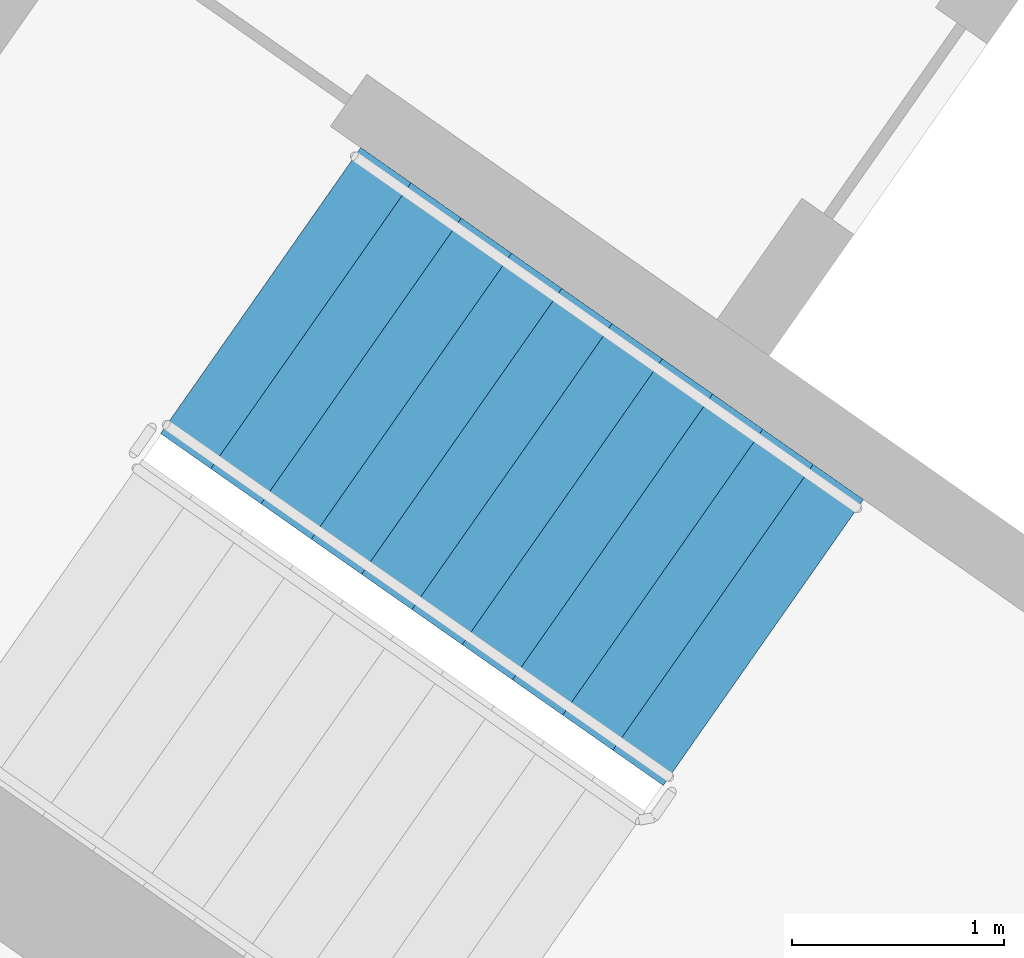
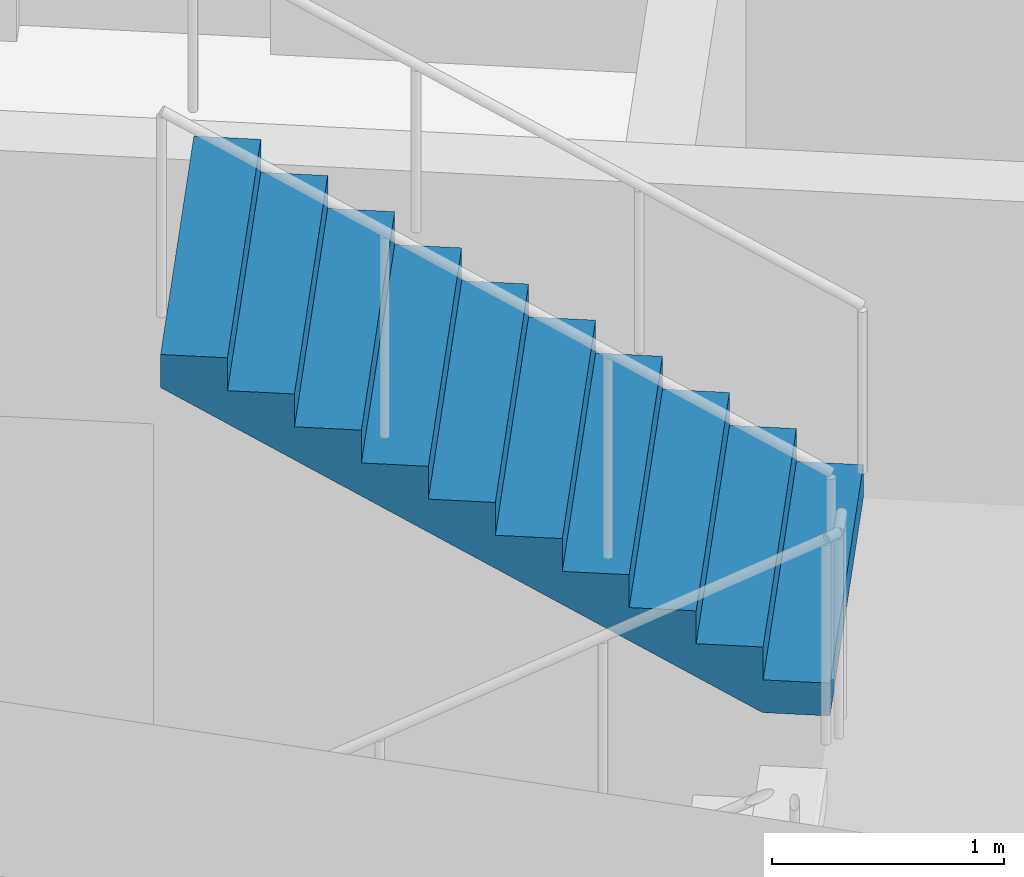
# One storey, part 11 of 28: 1 stair flight, 1 element without a shape of its own.
"""IFC4 building model written with IfcOpenShell, lengths in metres."""

from ifc_helpers import new_model, si_unit, direction, frame, origin, place, context, subcontext, project, spatial, faceted_brep, material, type_object, element, aggregate, save


model = new_model("IFC4")

# Units and contexts
model_context = context("Model", 3, precision=1e-05, world=origin(), true_north=direction((0.0, 1.0)))
body_context = subcontext(model_context, "Body", "Model", "MODEL_VIEW")
ifc_project = project(units=[si_unit("LENGTHUNIT", "METRE"), si_unit("AREAUNIT", "SQUARE_METRE"), si_unit("VOLUMEUNIT", "CUBIC_METRE"), si_unit("PLANEANGLEUNIT", "RADIAN"), si_unit("MASSUNIT", "GRAM", prefix="KILO")], contexts=[model_context])

# Site, building, storey
site_placement = place(None, origin())
site = spatial("IfcSite", under=ifc_project, at=site_placement, CompositionType="ELEMENT")
building_placement = place(site_placement, origin())
building = spatial("IfcBuilding", under=site, at=building_placement, Name="Qamariyya Broadcast Tower", CompositionType="ELEMENT")
storey_placement = place(building_placement, frame((0.0, 0.0, 273.300048828125)))
storey = spatial("IfcBuildingStorey", under=building, at=storey_placement, Name="L66", CompositionType="ELEMENT", Elevation=273.300048828125)

# Stair, stair flight
ifc_material = material(Name="Concrete C50/60", Category="concrete")
stair_type = type_object("IfcStairType", Name="Exit stair 22 risers of 173 mm", PredefinedType="HALF_TURN_STAIR", material=ifc_material)
stair_placement = place(storey_placement, origin())
stair = element("IfcStair", 1, at=stair_placement, inside=storey, type_object=stair_type, Name="L66 Stair W1", PredefinedType="HALF_TURN_STAIR")
stair_flight_type = type_object("IfcStairFlightType", Name="Exit stair flight 11 risers of 173 mm", PredefinedType="STRAIGHT", material=ifc_material)
stair_flight_placement = place(storey_placement, frame((-43.660888671875, -57.17138671875, 1.89990234375), z_axis=(0.0, 0.0, 1.0), x_axis=(-0.819152044289, 0.573576436351, 0.0)))
stair_flight = element("IfcStairFlight", 2, at=stair_flight_placement, type_object=stair_flight_type, Name="ST-W1 flight 2", NumberOfRisers=11, NumberOfTreads=10, PredefinedType="STRAIGHT", RiserHeight=0.172727273, TreadLength=0.29, context=body_context, shape_type="Brep", body=[
    faceted_brep([(0.0, 0.824951171875, 0.0), (0.0, 0.824951171875, 0.172607421875), (0.2900390625, 0.824951171875, 0.172607421875), (0.2900390625, 0.824951171875, 0.345458984375), (0.580078125, 0.824951171875, 0.345458984375), (0.580078125, 0.824951171875, 0.51806640625), (0.8701171875, 0.824951171875, 0.51806640625), (0.8701171875, 0.824951171875, 0.69091796875), (1.159912109375, 0.824951171875, 0.69091796875), (1.159912109375, 0.824951171875, 0.863525390625), (1.449951171875, 0.824951171875, 0.863525390625), (1.449951171875, 0.824951171875, 1.036376953125), (1.739990234375, 0.824951171875, 1.036376953125), (1.739990234375, 0.824951171875, 1.208984375), (2.030029296875, 0.824951171875, 1.208984375), (2.030029296875, 0.824951171875, 1.3818359375), (2.320068359375, 0.824951171875, 1.3818359375), (2.320068359375, 0.824951171875, 1.554443359375), (2.610107421875, 0.824951171875, 1.554443359375), (2.610107421875, 0.824951171875, 1.727294921875), (2.89990234375, 0.824951171875, 1.727294921875), (2.89990234375, 0.824951171875, 1.552734375), (0.29296875, 0.824951171875, 0.0), (0.29296875, -0.824951171875, 0.0), (2.89990234375, -0.824951171875, 1.552734375), (2.89990234375, -0.824951171875, 1.727294921875), (2.610107421875, -0.824951171875, 1.727294921875), (2.610107421875, -0.824951171875, 1.554443359375), (2.320068359375, -0.824951171875, 1.554443359375), (2.320068359375, -0.824951171875, 1.3818359375), (2.030029296875, -0.824951171875, 1.3818359375), (2.030029296875, -0.824951171875, 1.208984375), (1.739990234375, -0.824951171875, 1.208984375), (1.739990234375, -0.824951171875, 1.036376953125), (1.449951171875, -0.824951171875, 1.036376953125), (1.449951171875, -0.824951171875, 0.863525390625), (1.159912109375, -0.824951171875, 0.863525390625), (1.159912109375, -0.824951171875, 0.69091796875), (0.8701171875, -0.824951171875, 0.69091796875), (0.8701171875, -0.824951171875, 0.51806640625), (0.580078125, -0.824951171875, 0.51806640625), (0.580078125, -0.824951171875, 0.345458984375), (0.2900390625, -0.824951171875, 0.345458984375), (0.2900390625, -0.824951171875, 0.172607421875), (0.0, -0.824951171875, 0.172607421875), (0.0, -0.824951171875, 0.0), (0.0, 0.10009765625, 0.0), (0.0, 0.086669921875, 0.0), (0.0, 0.0732421875, 0.0), (0.0, 0.06005859375, 0.0), (0.0, 0.046630859375, 0.0), (0.0, 0.033447265625, 0.0), (0.0, 0.02001953125, 0.0), (0.0, 0.006591796875, 0.0), (0.0, -0.006591796875, 0.0), (0.0, -0.02001953125, 0.0), (0.0, -0.033447265625, 0.0), (0.0, -0.046630859375, 0.0), (0.0, -0.06005859375, 0.0), (0.0, -0.0732421875, 0.0), (0.0, -0.086669921875, 0.0), (0.0, -0.10009765625, 0.0), (0.0, -0.10009765625, 0.172607421875), (0.0, -0.086669921875, 0.172607421875), (0.0, -0.0732421875, 0.172607421875), (0.0, -0.06005859375, 0.172607421875), (0.0, -0.046630859375, 0.172607421875), (0.0, -0.033447265625, 0.172607421875), (0.0, -0.02001953125, 0.172607421875), (0.0, -0.006591796875, 0.172607421875), (0.0, 0.006591796875, 0.172607421875), (0.0, 0.02001953125, 0.172607421875), (0.0, 0.033447265625, 0.172607421875), (0.0, 0.046630859375, 0.172607421875), (0.0, 0.06005859375, 0.172607421875), (0.0, 0.0732421875, 0.172607421875), (0.0, 0.086669921875, 0.172607421875), (0.0, 0.10009765625, 0.172607421875), (0.2900390625, -0.10009765625, 0.172607421875), (0.2900390625, -0.086669921875, 0.172607421875), (0.2900390625, -0.0732421875, 0.172607421875), (0.2900390625, -0.06005859375, 0.172607421875), (0.2900390625, -0.046630859375, 0.172607421875), (0.2900390625, -0.033447265625, 0.172607421875), (0.2900390625, -0.02001953125, 0.172607421875), (0.2900390625, -0.006591796875, 0.172607421875), (0.2900390625, 0.006591796875, 0.172607421875), (0.2900390625, 0.02001953125, 0.172607421875), (0.2900390625, 0.033447265625, 0.172607421875), (0.2900390625, 0.046630859375, 0.172607421875), (0.2900390625, 0.06005859375, 0.172607421875), (0.2900390625, 0.0732421875, 0.172607421875), (0.2900390625, 0.086669921875, 0.172607421875), (0.2900390625, 0.10009765625, 0.172607421875), (0.2900390625, -0.10009765625, 0.345458984375), (0.2900390625, -0.086669921875, 0.345458984375), (0.2900390625, -0.0732421875, 0.345458984375), (0.2900390625, -0.06005859375, 0.345458984375), (0.2900390625, -0.046630859375, 0.345458984375), (0.2900390625, -0.033447265625, 0.345458984375), (0.2900390625, -0.02001953125, 0.345458984375), (0.2900390625, -0.006591796875, 0.345458984375), (0.2900390625, 0.006591796875, 0.345458984375), (0.2900390625, 0.02001953125, 0.345458984375), (0.2900390625, 0.033447265625, 0.345458984375), (0.2900390625, 0.046630859375, 0.345458984375), (0.2900390625, 0.06005859375, 0.345458984375), (0.2900390625, 0.0732421875, 0.345458984375), (0.2900390625, 0.086669921875, 0.345458984375), (0.2900390625, 0.10009765625, 0.345458984375), (0.580078125, -0.10009765625, 0.345458984375), (0.580078125, -0.086669921875, 0.345458984375), (0.580078125, -0.0732421875, 0.345458984375), (0.580078125, -0.06005859375, 0.345458984375), (0.580078125, -0.046630859375, 0.345458984375), (0.580078125, -0.033447265625, 0.345458984375), (0.580078125, -0.02001953125, 0.345458984375), (0.580078125, -0.006591796875, 0.345458984375), (0.580078125, 0.006591796875, 0.345458984375), (0.580078125, 0.02001953125, 0.345458984375), (0.580078125, 0.033447265625, 0.345458984375), (0.580078125, 0.046630859375, 0.345458984375), (0.580078125, 0.06005859375, 0.345458984375), (0.580078125, 0.0732421875, 0.345458984375), (0.580078125, 0.086669921875, 0.345458984375), (0.580078125, 0.10009765625, 0.345458984375), (0.580078125, -0.10009765625, 0.51806640625), (0.580078125, -0.086669921875, 0.51806640625), (0.580078125, -0.0732421875, 0.51806640625), (0.580078125, -0.06005859375, 0.51806640625), (0.580078125, -0.046630859375, 0.51806640625), (0.580078125, -0.033447265625, 0.51806640625), (0.580078125, -0.02001953125, 0.51806640625), (0.580078125, -0.006591796875, 0.51806640625), (0.580078125, 0.006591796875, 0.51806640625), (0.580078125, 0.02001953125, 0.51806640625), (0.580078125, 0.033447265625, 0.51806640625), (0.580078125, 0.046630859375, 0.51806640625), (0.580078125, 0.06005859375, 0.51806640625), (0.580078125, 0.0732421875, 0.51806640625), (0.580078125, 0.086669921875, 0.51806640625), (0.580078125, 0.10009765625, 0.51806640625), (0.8701171875, -0.10009765625, 0.51806640625), (0.8701171875, -0.086669921875, 0.51806640625), (0.8701171875, -0.0732421875, 0.51806640625), (0.8701171875, -0.06005859375, 0.51806640625), (0.8701171875, -0.046630859375, 0.51806640625), (0.8701171875, -0.033447265625, 0.51806640625), (0.8701171875, -0.02001953125, 0.51806640625), (0.8701171875, -0.006591796875, 0.51806640625), (0.8701171875, 0.006591796875, 0.51806640625), (0.8701171875, 0.02001953125, 0.51806640625), (0.8701171875, 0.033447265625, 0.51806640625), (0.8701171875, 0.046630859375, 0.51806640625), (0.8701171875, 0.06005859375, 0.51806640625), (0.8701171875, 0.0732421875, 0.51806640625), (0.8701171875, 0.086669921875, 0.51806640625), (0.8701171875, 0.10009765625, 0.51806640625), (0.8701171875, -0.10009765625, 0.69091796875), (0.8701171875, -0.086669921875, 0.69091796875), (0.8701171875, -0.0732421875, 0.69091796875), (0.8701171875, -0.06005859375, 0.69091796875), (0.8701171875, -0.046630859375, 0.69091796875), (0.8701171875, -0.033447265625, 0.69091796875), (0.8701171875, -0.02001953125, 0.69091796875), (0.8701171875, -0.006591796875, 0.69091796875), (0.8701171875, 0.006591796875, 0.69091796875), (0.8701171875, 0.02001953125, 0.69091796875), (0.8701171875, 0.033447265625, 0.69091796875), (0.8701171875, 0.046630859375, 0.69091796875), (0.8701171875, 0.06005859375, 0.69091796875), (0.8701171875, 0.0732421875, 0.69091796875), (0.8701171875, 0.086669921875, 0.69091796875), (0.8701171875, 0.10009765625, 0.69091796875), (1.159912109375, -0.10009765625, 0.69091796875), (1.159912109375, -0.086669921875, 0.69091796875), (1.159912109375, -0.0732421875, 0.69091796875), (1.159912109375, -0.06005859375, 0.69091796875), (1.159912109375, -0.046630859375, 0.69091796875), (1.159912109375, -0.033447265625, 0.69091796875), (1.159912109375, -0.02001953125, 0.69091796875), (1.159912109375, -0.006591796875, 0.69091796875), (1.159912109375, 0.006591796875, 0.69091796875), (1.159912109375, 0.02001953125, 0.69091796875), (1.159912109375, 0.033447265625, 0.69091796875), (1.159912109375, 0.046630859375, 0.69091796875), (1.159912109375, 0.06005859375, 0.69091796875), (1.159912109375, 0.0732421875, 0.69091796875), (1.159912109375, 0.086669921875, 0.69091796875), (1.159912109375, 0.10009765625, 0.69091796875), (1.159912109375, -0.10009765625, 0.863525390625), (1.159912109375, -0.086669921875, 0.863525390625), (1.159912109375, -0.0732421875, 0.863525390625), (1.159912109375, -0.06005859375, 0.863525390625), (1.159912109375, -0.046630859375, 0.863525390625), (1.159912109375, -0.033447265625, 0.863525390625), (1.159912109375, -0.02001953125, 0.863525390625), (1.159912109375, -0.006591796875, 0.863525390625), (1.159912109375, 0.006591796875, 0.863525390625), (1.159912109375, 0.02001953125, 0.863525390625), (1.159912109375, 0.033447265625, 0.863525390625), (1.159912109375, 0.046630859375, 0.863525390625), (1.159912109375, 0.06005859375, 0.863525390625), (1.159912109375, 0.0732421875, 0.863525390625), (1.159912109375, 0.086669921875, 0.863525390625), (1.159912109375, 0.10009765625, 0.863525390625), (1.449951171875, -0.10009765625, 0.863525390625), (1.449951171875, -0.086669921875, 0.863525390625), (1.449951171875, -0.0732421875, 0.863525390625), (1.449951171875, -0.06005859375, 0.863525390625), (1.449951171875, -0.046630859375, 0.863525390625), (1.449951171875, -0.033447265625, 0.863525390625), (1.449951171875, -0.02001953125, 0.863525390625), (1.449951171875, -0.006591796875, 0.863525390625), (1.449951171875, 0.006591796875, 0.863525390625), (1.449951171875, 0.02001953125, 0.863525390625), (1.449951171875, 0.033447265625, 0.863525390625), (1.449951171875, 0.046630859375, 0.863525390625), (1.449951171875, 0.06005859375, 0.863525390625), (1.449951171875, 0.0732421875, 0.863525390625), (1.449951171875, 0.086669921875, 0.863525390625), (1.449951171875, 0.10009765625, 0.863525390625), (1.449951171875, -0.10009765625, 1.036376953125), (1.449951171875, -0.086669921875, 1.036376953125), (1.449951171875, -0.0732421875, 1.036376953125), (1.449951171875, -0.06005859375, 1.036376953125), (1.449951171875, -0.046630859375, 1.036376953125), (1.449951171875, -0.033447265625, 1.036376953125), (1.449951171875, -0.02001953125, 1.036376953125), (1.449951171875, -0.006591796875, 1.036376953125), (1.449951171875, 0.006591796875, 1.036376953125), (1.449951171875, 0.02001953125, 1.036376953125), (1.449951171875, 0.033447265625, 1.036376953125), (1.449951171875, 0.046630859375, 1.036376953125), (1.449951171875, 0.06005859375, 1.036376953125), (1.449951171875, 0.0732421875, 1.036376953125), (1.449951171875, 0.086669921875, 1.036376953125), (1.449951171875, 0.10009765625, 1.036376953125), (1.739990234375, -0.10009765625, 1.036376953125), (1.739990234375, -0.086669921875, 1.036376953125), (1.739990234375, -0.0732421875, 1.036376953125), (1.739990234375, -0.06005859375, 1.036376953125), (1.739990234375, -0.046630859375, 1.036376953125), (1.739990234375, -0.033447265625, 1.036376953125), (1.739990234375, -0.02001953125, 1.036376953125), (1.739990234375, -0.006591796875, 1.036376953125), (1.739990234375, 0.006591796875, 1.036376953125), (1.739990234375, 0.02001953125, 1.036376953125), (1.739990234375, 0.033447265625, 1.036376953125), (1.739990234375, 0.046630859375, 1.036376953125), (1.739990234375, 0.06005859375, 1.036376953125), (1.739990234375, 0.0732421875, 1.036376953125), (1.739990234375, 0.086669921875, 1.036376953125), (1.739990234375, 0.10009765625, 1.036376953125), (1.739990234375, -0.10009765625, 1.208984375), (1.739990234375, -0.086669921875, 1.208984375), (1.739990234375, -0.0732421875, 1.208984375), (1.739990234375, -0.06005859375, 1.208984375), (1.739990234375, -0.046630859375, 1.208984375), (1.739990234375, -0.033447265625, 1.208984375), (1.739990234375, -0.02001953125, 1.208984375), (1.739990234375, -0.006591796875, 1.208984375), (1.739990234375, 0.006591796875, 1.208984375), (1.739990234375, 0.02001953125, 1.208984375), (1.739990234375, 0.033447265625, 1.208984375), (1.739990234375, 0.046630859375, 1.208984375), (1.739990234375, 0.06005859375, 1.208984375), (1.739990234375, 0.0732421875, 1.208984375), (1.739990234375, 0.086669921875, 1.208984375), (1.739990234375, 0.10009765625, 1.208984375), (2.030029296875, -0.10009765625, 1.208984375), (2.030029296875, -0.086669921875, 1.208984375), (2.030029296875, -0.0732421875, 1.208984375), (2.030029296875, -0.06005859375, 1.208984375), (2.030029296875, -0.046630859375, 1.208984375), (2.030029296875, -0.033447265625, 1.208984375), (2.030029296875, -0.02001953125, 1.208984375), (2.030029296875, -0.006591796875, 1.208984375), (2.030029296875, 0.006591796875, 1.208984375), (2.030029296875, 0.02001953125, 1.208984375), (2.030029296875, 0.033447265625, 1.208984375), (2.030029296875, 0.046630859375, 1.208984375), (2.030029296875, 0.06005859375, 1.208984375), (2.030029296875, 0.0732421875, 1.208984375), (2.030029296875, 0.086669921875, 1.208984375), (2.030029296875, 0.10009765625, 1.208984375), (2.030029296875, -0.10009765625, 1.3818359375), (2.030029296875, -0.086669921875, 1.3818359375), (2.030029296875, -0.0732421875, 1.3818359375), (2.030029296875, -0.06005859375, 1.3818359375), (2.030029296875, -0.046630859375, 1.3818359375), (2.030029296875, -0.033447265625, 1.3818359375), (2.030029296875, -0.02001953125, 1.3818359375), (2.030029296875, -0.006591796875, 1.3818359375), (2.030029296875, 0.006591796875, 1.3818359375), (2.030029296875, 0.02001953125, 1.3818359375), (2.030029296875, 0.033447265625, 1.3818359375), (2.030029296875, 0.046630859375, 1.3818359375), (2.030029296875, 0.06005859375, 1.3818359375), (2.030029296875, 0.0732421875, 1.3818359375), (2.030029296875, 0.086669921875, 1.3818359375), (2.030029296875, 0.10009765625, 1.3818359375), (2.320068359375, -0.10009765625, 1.3818359375), (2.320068359375, -0.086669921875, 1.3818359375), (2.320068359375, -0.0732421875, 1.3818359375), (2.320068359375, -0.06005859375, 1.3818359375), (2.320068359375, -0.046630859375, 1.3818359375), (2.320068359375, -0.033447265625, 1.3818359375), (2.320068359375, -0.02001953125, 1.3818359375), (2.320068359375, -0.006591796875, 1.3818359375), (2.320068359375, 0.006591796875, 1.3818359375), (2.320068359375, 0.02001953125, 1.3818359375), (2.320068359375, 0.033447265625, 1.3818359375), (2.320068359375, 0.046630859375, 1.3818359375), (2.320068359375, 0.06005859375, 1.3818359375), (2.320068359375, 0.0732421875, 1.3818359375), (2.320068359375, 0.086669921875, 1.3818359375), (2.320068359375, 0.10009765625, 1.3818359375), (2.320068359375, -0.10009765625, 1.554443359375), (2.320068359375, -0.086669921875, 1.554443359375), (2.320068359375, -0.0732421875, 1.554443359375), (2.320068359375, -0.06005859375, 1.554443359375), (2.320068359375, -0.046630859375, 1.554443359375), (2.320068359375, -0.033447265625, 1.554443359375), (2.320068359375, -0.02001953125, 1.554443359375), (2.320068359375, -0.006591796875, 1.554443359375), (2.320068359375, 0.006591796875, 1.554443359375), (2.320068359375, 0.02001953125, 1.554443359375), (2.320068359375, 0.033447265625, 1.554443359375), (2.320068359375, 0.046630859375, 1.554443359375), (2.320068359375, 0.06005859375, 1.554443359375), (2.320068359375, 0.0732421875, 1.554443359375), (2.320068359375, 0.086669921875, 1.554443359375), (2.320068359375, 0.10009765625, 1.554443359375), (2.610107421875, -0.10009765625, 1.554443359375), (2.610107421875, -0.086669921875, 1.554443359375), (2.610107421875, -0.0732421875, 1.554443359375), (2.610107421875, -0.06005859375, 1.554443359375), (2.610107421875, -0.046630859375, 1.554443359375), (2.610107421875, -0.033447265625, 1.554443359375), (2.610107421875, -0.02001953125, 1.554443359375), (2.610107421875, -0.006591796875, 1.554443359375), (2.610107421875, 0.006591796875, 1.554443359375), (2.610107421875, 0.02001953125, 1.554443359375), (2.610107421875, 0.033447265625, 1.554443359375), (2.610107421875, 0.046630859375, 1.554443359375), (2.610107421875, 0.06005859375, 1.554443359375), (2.610107421875, 0.0732421875, 1.554443359375), (2.610107421875, 0.086669921875, 1.554443359375), (2.610107421875, 0.10009765625, 1.554443359375), (2.610107421875, -0.10009765625, 1.727294921875), (2.610107421875, -0.086669921875, 1.727294921875), (2.610107421875, -0.0732421875, 1.727294921875), (2.610107421875, -0.06005859375, 1.727294921875), (2.610107421875, -0.046630859375, 1.727294921875), (2.610107421875, -0.033447265625, 1.727294921875), (2.610107421875, -0.02001953125, 1.727294921875), (2.610107421875, -0.006591796875, 1.727294921875), (2.610107421875, 0.006591796875, 1.727294921875), (2.610107421875, 0.02001953125, 1.727294921875), (2.610107421875, 0.033447265625, 1.727294921875), (2.610107421875, 0.046630859375, 1.727294921875), (2.610107421875, 0.06005859375, 1.727294921875), (2.610107421875, 0.0732421875, 1.727294921875), (2.610107421875, 0.086669921875, 1.727294921875), (2.610107421875, 0.10009765625, 1.727294921875), (2.89990234375, -0.10009765625, 1.727294921875), (2.89990234375, -0.086669921875, 1.727294921875), (2.89990234375, -0.0732421875, 1.727294921875), (2.89990234375, -0.06005859375, 1.727294921875), (2.89990234375, -0.046630859375, 1.727294921875), (2.89990234375, -0.033447265625, 1.727294921875), (2.89990234375, -0.02001953125, 1.727294921875), (2.89990234375, -0.006591796875, 1.727294921875), (2.89990234375, 0.006591796875, 1.727294921875), (2.89990234375, 0.02001953125, 1.727294921875), (2.89990234375, 0.033447265625, 1.727294921875), (2.89990234375, 0.046630859375, 1.727294921875), (2.89990234375, 0.06005859375, 1.727294921875), (2.89990234375, 0.0732421875, 1.727294921875), (2.89990234375, 0.086669921875, 1.727294921875), (2.89990234375, 0.10009765625, 1.727294921875), (2.89990234375, -0.10009765625, 1.552734375), (2.89990234375, -0.086669921875, 1.552734375), (2.89990234375, -0.0732421875, 1.552734375), (2.89990234375, -0.06005859375, 1.552734375), (2.89990234375, -0.046630859375, 1.552734375), (2.89990234375, -0.033447265625, 1.552734375), (2.89990234375, -0.02001953125, 1.552734375), (2.89990234375, -0.006591796875, 1.552734375), (2.89990234375, 0.006591796875, 1.552734375), (2.89990234375, 0.02001953125, 1.552734375), (2.89990234375, 0.033447265625, 1.552734375), (2.89990234375, 0.046630859375, 1.552734375), (2.89990234375, 0.06005859375, 1.552734375), (2.89990234375, 0.0732421875, 1.552734375), (2.89990234375, 0.086669921875, 1.552734375), (2.89990234375, 0.10009765625, 1.552734375), (0.29296875, -0.10009765625, 0.0), (0.29296875, -0.086669921875, 0.0), (0.29296875, -0.0732421875, 0.0), (0.29296875, -0.06005859375, 0.0), (0.29296875, -0.046630859375, 0.0), (0.29296875, -0.033447265625, 0.0), (0.29296875, -0.02001953125, 0.0), (0.29296875, -0.006591796875, 0.0), (0.29296875, 0.006591796875, 0.0), (0.29296875, 0.02001953125, 0.0), (0.29296875, 0.033447265625, 0.0), (0.29296875, 0.046630859375, 0.0), (0.29296875, 0.06005859375, 0.0), (0.29296875, 0.0732421875, 0.0), (0.29296875, 0.086669921875, 0.0), (0.29296875, 0.10009765625, 0.0)], [[[0, 1, 2, 3, 4, 5, 6, 7, 8, 9, 10, 11, 12, 13, 14, 15, 16, 17, 18, 19, 20, 21, 22]], [[23, 24, 25, 26, 27, 28, 29, 30, 31, 32, 33, 34, 35, 36, 37, 38, 39, 40, 41, 42, 43, 44, 45]], [[0, 46, 47, 48, 49, 50, 51, 52, 53, 54, 55, 56, 57, 58, 59, 60, 61, 45, 44, 62, 63, 64, 65, 66, 67, 68, 69, 70, 71, 72, 73, 74, 75, 76, 77, 1]], [[1, 77, 76, 75, 74, 73, 72, 71, 70, 69, 68, 67, 66, 65, 64, 63, 62, 44, 43, 78, 79, 80, 81, 82, 83, 84, 85, 86, 87, 88, 89, 90, 91, 92, 93, 2]], [[2, 93, 92, 91, 90, 89, 88, 87, 86, 85, 84, 83, 82, 81, 80, 79, 78, 43, 42, 94, 95, 96, 97, 98, 99, 100, 101, 102, 103, 104, 105, 106, 107, 108, 109, 3]], [[3, 109, 108, 107, 106, 105, 104, 103, 102, 101, 100, 99, 98, 97, 96, 95, 94, 42, 41, 110, 111, 112, 113, 114, 115, 116, 117, 118, 119, 120, 121, 122, 123, 124, 125, 4]], [[4, 125, 124, 123, 122, 121, 120, 119, 118, 117, 116, 115, 114, 113, 112, 111, 110, 41, 40, 126, 127, 128, 129, 130, 131, 132, 133, 134, 135, 136, 137, 138, 139, 140, 141, 5]], [[5, 141, 140, 139, 138, 137, 136, 135, 134, 133, 132, 131, 130, 129, 128, 127, 126, 40, 39, 142, 143, 144, 145, 146, 147, 148, 149, 150, 151, 152, 153, 154, 155, 156, 157, 6]], [[6, 157, 156, 155, 154, 153, 152, 151, 150, 149, 148, 147, 146, 145, 144, 143, 142, 39, 38, 158, 159, 160, 161, 162, 163, 164, 165, 166, 167, 168, 169, 170, 171, 172, 173, 7]], [[7, 173, 172, 171, 170, 169, 168, 167, 166, 165, 164, 163, 162, 161, 160, 159, 158, 38, 37, 174, 175, 176, 177, 178, 179, 180, 181, 182, 183, 184, 185, 186, 187, 188, 189, 8]], [[8, 189, 188, 187, 186, 185, 184, 183, 182, 181, 180, 179, 178, 177, 176, 175, 174, 37, 36, 190, 191, 192, 193, 194, 195, 196, 197, 198, 199, 200, 201, 202, 203, 204, 205, 9]], [[9, 205, 204, 203, 202, 201, 200, 199, 198, 197, 196, 195, 194, 193, 192, 191, 190, 36, 35, 206, 207, 208, 209, 210, 211, 212, 213, 214, 215, 216, 217, 218, 219, 220, 221, 10]], [[10, 221, 220, 219, 218, 217, 216, 215, 214, 213, 212, 211, 210, 209, 208, 207, 206, 35, 34, 222, 223, 224, 225, 226, 227, 228, 229, 230, 231, 232, 233, 234, 235, 236, 237, 11]], [[11, 237, 236, 235, 234, 233, 232, 231, 230, 229, 228, 227, 226, 225, 224, 223, 222, 34, 33, 238, 239, 240, 241, 242, 243, 244, 245, 246, 247, 248, 249, 250, 251, 252, 253, 12]], [[12, 253, 252, 251, 250, 249, 248, 247, 246, 245, 244, 243, 242, 241, 240, 239, 238, 33, 32, 254, 255, 256, 257, 258, 259, 260, 261, 262, 263, 264, 265, 266, 267, 268, 269, 13]], [[13, 269, 268, 267, 266, 265, 264, 263, 262, 261, 260, 259, 258, 257, 256, 255, 254, 32, 31, 270, 271, 272, 273, 274, 275, 276, 277, 278, 279, 280, 281, 282, 283, 284, 285, 14]], [[14, 285, 284, 283, 282, 281, 280, 279, 278, 277, 276, 275, 274, 273, 272, 271, 270, 31, 30, 286, 287, 288, 289, 290, 291, 292, 293, 294, 295, 296, 297, 298, 299, 300, 301, 15]], [[15, 301, 300, 299, 298, 297, 296, 295, 294, 293, 292, 291, 290, 289, 288, 287, 286, 30, 29, 302, 303, 304, 305, 306, 307, 308, 309, 310, 311, 312, 313, 314, 315, 316, 317, 16]], [[16, 317, 316, 315, 314, 313, 312, 311, 310, 309, 308, 307, 306, 305, 304, 303, 302, 29, 28, 318, 319, 320, 321, 322, 323, 324, 325, 326, 327, 328, 329, 330, 331, 332, 333, 17]], [[17, 333, 332, 331, 330, 329, 328, 327, 326, 325, 324, 323, 322, 321, 320, 319, 318, 28, 27, 334, 335, 336, 337, 338, 339, 340, 341, 342, 343, 344, 345, 346, 347, 348, 349, 18]], [[18, 349, 348, 347, 346, 345, 344, 343, 342, 341, 340, 339, 338, 337, 336, 335, 334, 27, 26, 350, 351, 352, 353, 354, 355, 356, 357, 358, 359, 360, 361, 362, 363, 364, 365, 19]], [[19, 365, 364, 363, 362, 361, 360, 359, 358, 357, 356, 355, 354, 353, 352, 351, 350, 26, 25, 366, 367, 368, 369, 370, 371, 372, 373, 374, 375, 376, 377, 378, 379, 380, 381, 20]], [[20, 381, 380, 379, 378, 377, 376, 375, 374, 373, 372, 371, 370, 369, 368, 367, 366, 25, 24, 382, 383, 384, 385, 386, 387, 388, 389, 390, 391, 392, 393, 394, 395, 396, 397, 21]], [[21, 397, 396, 395, 394, 393, 392, 391, 390, 389, 388, 387, 386, 385, 384, 383, 382, 24, 23, 398, 399, 400, 401, 402, 403, 404, 405, 406, 407, 408, 409, 410, 411, 412, 413, 22]], [[22, 413, 412, 411, 410, 409, 408, 407, 406, 405, 404, 403, 402, 401, 400, 399, 398, 23, 45, 61, 60, 59, 58, 57, 56, 55, 54, 53, 52, 51, 50, 49, 48, 47, 46, 0]]]),
])
aggregate(stair, [stair_flight])

save(model, "model.ifc")
